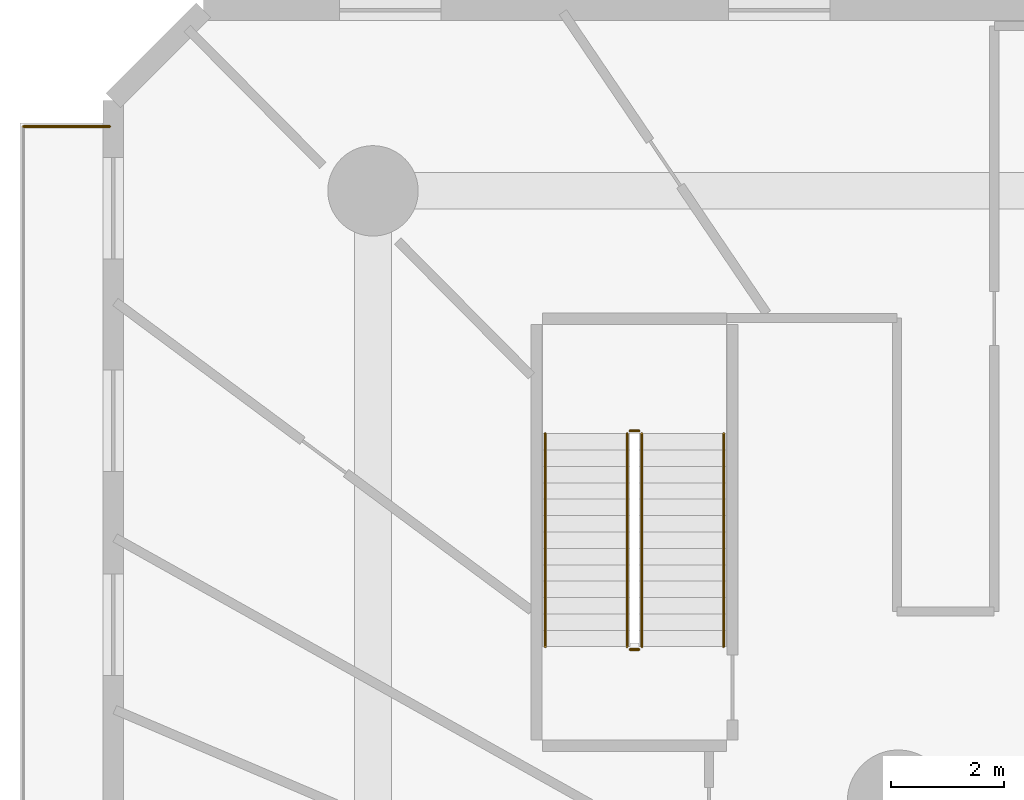
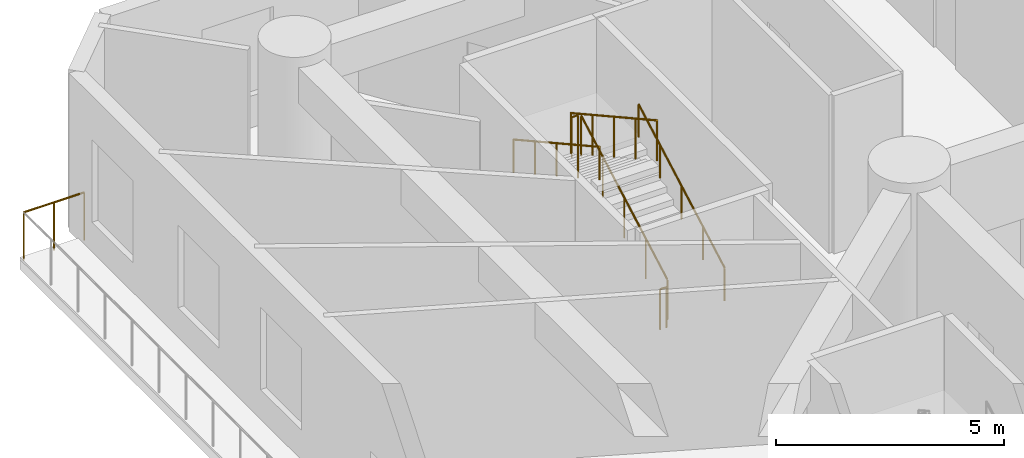
# One storey, part 22 of 24: 7 railings.
"""IFC4 building model written with IfcOpenShell, lengths in metres."""

from ifc_helpers import new_model, si_unit, direction, frame, origin, origin_2d, place, context, subcontext, project, spatial, circle, extrude, material, layer, layer_set, type_object, element, save


model = new_model("IFC4")

# Units and contexts
model_context = context("Model", 3, precision=1e-05, world=origin(), true_north=direction((0.0, 1.0)))
body_context = subcontext(model_context, "Body", "Model", "MODEL_VIEW")
ifc_project = project(units=[si_unit("LENGTHUNIT", "METRE"), si_unit("AREAUNIT", "SQUARE_METRE"), si_unit("VOLUMEUNIT", "CUBIC_METRE"), si_unit("PLANEANGLEUNIT", "RADIAN"), si_unit("MASSUNIT", "GRAM", prefix="KILO")], contexts=[model_context])

# Site, building, storey
site_placement = place(None, origin())
site = spatial("IfcSite", under=ifc_project, at=site_placement, CompositionType="ELEMENT")
building_placement = place(site_placement, origin())
building = spatial("IfcBuilding", under=site, at=building_placement, Name="Karkom Vertical University and Central Library", CompositionType="ELEMENT")
storey_placement = place(building_placement, frame((0.0, 0.0, 13.5)))
storey = spatial("IfcBuildingStorey", under=building, at=storey_placement, Name="L03", CompositionType="ELEMENT", Elevation=13.5)

# Railings
ifc_material_1 = material(Name="Architectural painted steel & laminated glass balustrade", Category="steel")
ifc_layer_1 = layer(ifc_material_1, 0.090087890625)
ifc_layer_set_1 = layer_set([ifc_layer_1], Name="Architectural painted steel & laminated glass balustrade")
railing_type_1 = type_object("IfcRailingType", Name="ENV-RL-BAL1300", PredefinedType="BALUSTRADE", material=ifc_layer_set_1)
railing_1_placement = place(storey_placement, frame((4.010009765625, 46.639892578125, 0.0)))
element("IfcRailing", 1, at=railing_1_placement, inside=storey, type_object=railing_type_1, Name="Level 03 Planted Terrace Safety Balustrade 02", PredefinedType="BALUSTRADE", context=body_context, shape_type="SweptSolid", body=[
    extrude(circle(Radius=0.02392578125, at=origin_2d()), frame((0.0, 0.0, 1.27587890625), z_axis=(1.0, 0.0, 0.0), x_axis=(0.0, 1.0, 0.0)), (0.0, 0.0, 1.0), 1.530029296875),
    extrude(circle(Radius=0.02099609375, at=origin_2d()), origin(), (0.0, 0.0, 1.0), 1.251953125),
    extrude(circle(Radius=0.02099609375, at=origin_2d()), frame((0.76513671875, 0.0, 0.0)), (0.0, 0.0, 1.0), 1.251953125),
    extrude(circle(Radius=0.02099609375, at=origin_2d()), frame((1.530029296875, 0.0, 0.0)), (0.0, 0.0, 1.0), 1.251953125),
])
ifc_material_2 = material(Name="Painted galvanised steel balustrade", Category="steel")
ifc_layer_2 = layer(ifc_material_2, 0.06005859375)
ifc_layer_set_2 = layer_set([ifc_layer_2], Name="Painted galvanised steel balustrade")
railing_type_2 = type_object("IfcRailingType", Name="INT-RL-GUARD1100", PredefinedType="GUARDRAIL", material=ifc_layer_set_2)
railing_2_placement = place(storey_placement, frame((14.9599609375, 37.429931640625, 0.16064453125)))
element("IfcRailing", 2, at=railing_2_placement, inside=storey, type_object=railing_type_2, Name="Level 03 POD-ST2 stair guard 1", PredefinedType="GUARDRAIL", context=body_context, shape_type="SweptSolid", body=[
    extrude(circle(Radius=0.02392578125, at=origin_2d()), frame((0.0, 0.0, 1.076171875), z_axis=(0.0, 0.874659101714, 0.484738543742), x_axis=(-1.0, 0.0, 0.0)), (0.0, 0.0, 1.0), 4.310302734375),
    extrude(circle(Radius=0.02099609375, at=origin_2d()), origin(), (0.0, 0.0, 1.0), 1.052001953125),
    extrude(circle(Radius=0.02099609375, at=origin_2d()), frame((0.0, 0.9423828125, 0.5224609375)), (0.0, 0.0, 1.0), 1.052001953125),
    extrude(circle(Radius=0.02099609375, at=origin_2d()), frame((0.0, 1.885009765625, 1.044677734375)), (0.0, 0.0, 1.0), 1.052001953125),
    extrude(circle(Radius=0.02099609375, at=origin_2d()), frame((0.0, 2.82763671875, 1.56689453125)), (0.0, 0.0, 1.0), 1.052001953125),
    extrude(circle(Radius=0.02099609375, at=origin_2d()), frame((0.0, 3.77001953125, 2.08935546875)), (0.0, 0.0, 1.0), 1.052001953125),
])
railing_3_placement = place(storey_placement, frame((14.909912109375, 41.25, 2.25)))
element("IfcRailing", 3, at=railing_3_placement, inside=storey, type_object=railing_type_2, Name="Level 03 POD-ST2 stair guard 2", PredefinedType="GUARDRAIL", context=body_context, shape_type="SweptSolid", body=[
    extrude(circle(Radius=0.02392578125, at=origin_2d()), frame((0.0, 0.0, 1.076171875), z_axis=(-1.0, 0.0, 0.0), x_axis=(0.0, -1.0, 0.0)), (0.0, 0.0, 1.0), 0.159912109375),
    extrude(circle(Radius=0.02099609375, at=origin_2d()), origin(), (0.0, 0.0, 1.0), 1.052001953125),
    extrude(circle(Radius=0.02099609375, at=origin_2d()), frame((-0.159912109375, 0.0, 0.0)), (0.0, 0.0, 1.0), 1.052001953125),
])
railing_4_placement = place(storey_placement, frame((14.699951171875, 41.199951171875, 2.41064453125)))
element("IfcRailing", 4, at=railing_4_placement, inside=storey, type_object=railing_type_2, Name="Level 03 POD-ST2 stair guard 3", PredefinedType="GUARDRAIL", context=body_context, shape_type="SweptSolid", body=[
    extrude(circle(Radius=0.02392578125, at=origin_2d()), frame((0.0, 0.0, 1.076171875), z_axis=(0.0, -0.874659101714, 0.484738543742), x_axis=(1.0, 0.0, 0.0)), (0.0, 0.0, 1.0), 4.310302734375),
    extrude(circle(Radius=0.02099609375, at=origin_2d()), origin(), (0.0, 0.0, 1.0), 1.052001953125),
    extrude(circle(Radius=0.02099609375, at=origin_2d()), frame((0.0, -0.9423828125, 0.5224609375)), (0.0, 0.0, 1.0), 1.052001953125),
    extrude(circle(Radius=0.02099609375, at=origin_2d()), frame((0.0, -1.885009765625, 1.044677734375)), (0.0, 0.0, 1.0), 1.052001953125),
    extrude(circle(Radius=0.02099609375, at=origin_2d()), frame((0.0, -2.82763671875, 1.56689453125)), (0.0, 0.0, 1.0), 1.052001953125),
    extrude(circle(Radius=0.02099609375, at=origin_2d()), frame((0.0, -3.77001953125, 2.08935546875)), (0.0, 0.0, 1.0), 1.052001953125),
])
railing_5_placement = place(storey_placement, frame((14.909912109375, 37.3798828125, 0.0)))
element("IfcRailing", 5, at=railing_5_placement, inside=storey, type_object=railing_type_2, Name="Level 03 POD-ST2 stair guard 4", PredefinedType="GUARDRAIL", context=body_context, shape_type="SweptSolid", body=[
    extrude(circle(Radius=0.02392578125, at=origin_2d()), frame((0.0, 0.0, 1.076171875), z_axis=(-1.0, 0.0, 0.0), x_axis=(0.0, -1.0, 0.0)), (0.0, 0.0, 1.0), 0.159912109375),
    extrude(circle(Radius=0.02099609375, at=origin_2d()), origin(), (0.0, 0.0, 1.0), 1.052001953125),
    extrude(circle(Radius=0.02099609375, at=origin_2d()), frame((-0.159912109375, 0.0, 0.0)), (0.0, 0.0, 1.0), 1.052001953125),
])
ifc_material_3 = material(Name="Brushed stainless-steel tubular handrail", Category="steel")
ifc_layer_3 = layer(ifc_material_3, 0.048095703125)
ifc_layer_set_3 = layer_set([ifc_layer_3], Name="Brushed stainless-steel tubular handrail")
railing_type_3 = type_object("IfcRailingType", Name="INT-RL-HAND920", PredefinedType="HANDRAIL", material=ifc_layer_set_3)
railing_6_placement = place(storey_placement, frame((16.409912109375, 37.429931640625, 0.16064453125)))
element("IfcRailing", 6, at=railing_6_placement, inside=storey, type_object=railing_type_3, Name="Level 03 POD-ST2 stair handrail 1", PredefinedType="HANDRAIL", context=body_context, shape_type="SweptSolid", body=[
    extrude(circle(Radius=0.02392578125, at=origin_2d()), frame((0.0, 0.0, 0.8759765625), z_axis=(0.0, 0.874659101714, 0.484738543742), x_axis=(-1.0, 0.0, 0.0)), (0.0, 0.0, 1.0), 4.310302734375),
    extrude(circle(Radius=0.02099609375, at=origin_2d()), origin(), (0.0, 0.0, 1.0), 0.851806640625),
    extrude(circle(Radius=0.02099609375, at=origin_2d()), frame((0.0, 0.9423828125, 0.5224609375)), (0.0, 0.0, 1.0), 0.851806640625),
    extrude(circle(Radius=0.02099609375, at=origin_2d()), frame((0.0, 1.885009765625, 1.044677734375)), (0.0, 0.0, 1.0), 0.851806640625),
    extrude(circle(Radius=0.02099609375, at=origin_2d()), frame((0.0, 2.82763671875, 1.56689453125)), (0.0, 0.0, 1.0), 0.851806640625),
    extrude(circle(Radius=0.02099609375, at=origin_2d()), frame((0.0, 3.77001953125, 2.08935546875)), (0.0, 0.0, 1.0), 0.851806640625),
])
railing_7_placement = place(storey_placement, frame((13.25, 41.199951171875, 2.41064453125)))
element("IfcRailing", 7, at=railing_7_placement, inside=storey, type_object=railing_type_3, Name="Level 03 POD-ST2 stair handrail 2", PredefinedType="HANDRAIL", context=body_context, shape_type="SweptSolid", body=[
    extrude(circle(Radius=0.02392578125, at=origin_2d()), frame((0.0, 0.0, 0.8759765625), z_axis=(0.0, -0.874659101714, 0.484738543742), x_axis=(1.0, 0.0, 0.0)), (0.0, 0.0, 1.0), 4.310302734375),
    extrude(circle(Radius=0.02099609375, at=origin_2d()), origin(), (0.0, 0.0, 1.0), 0.851806640625),
    extrude(circle(Radius=0.02099609375, at=origin_2d()), frame((0.0, -0.9423828125, 0.5224609375)), (0.0, 0.0, 1.0), 0.851806640625),
    extrude(circle(Radius=0.02099609375, at=origin_2d()), frame((0.0, -1.885009765625, 1.044677734375)), (0.0, 0.0, 1.0), 0.851806640625),
    extrude(circle(Radius=0.02099609375, at=origin_2d()), frame((0.0, -2.82763671875, 1.56689453125)), (0.0, 0.0, 1.0), 0.851806640625),
    extrude(circle(Radius=0.02099609375, at=origin_2d()), frame((0.0, -3.77001953125, 2.08935546875)), (0.0, 0.0, 1.0), 0.851806640625),
])

save(model, "model.ifc")
